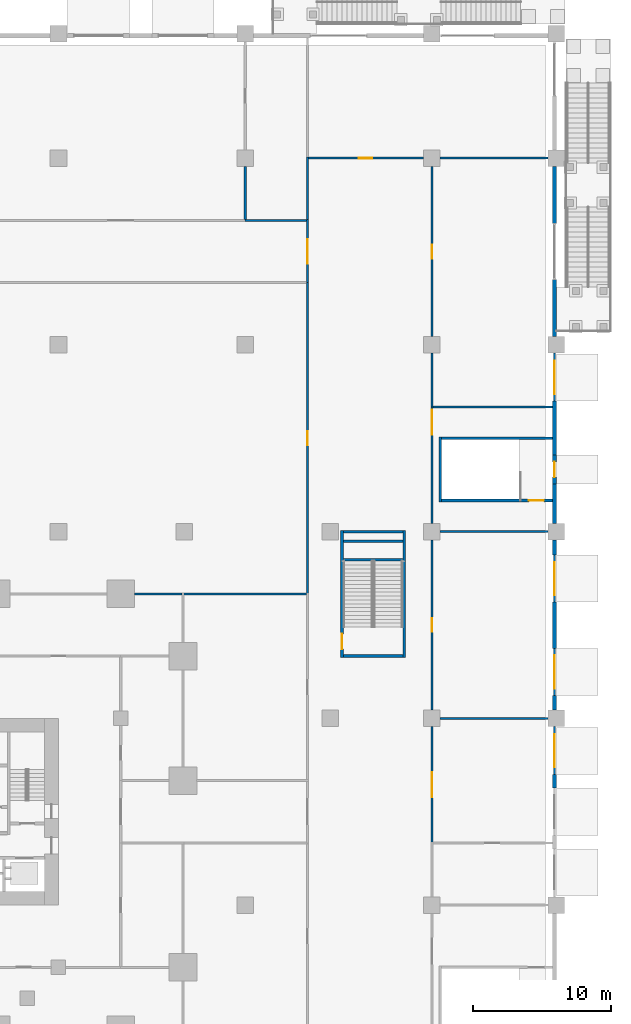
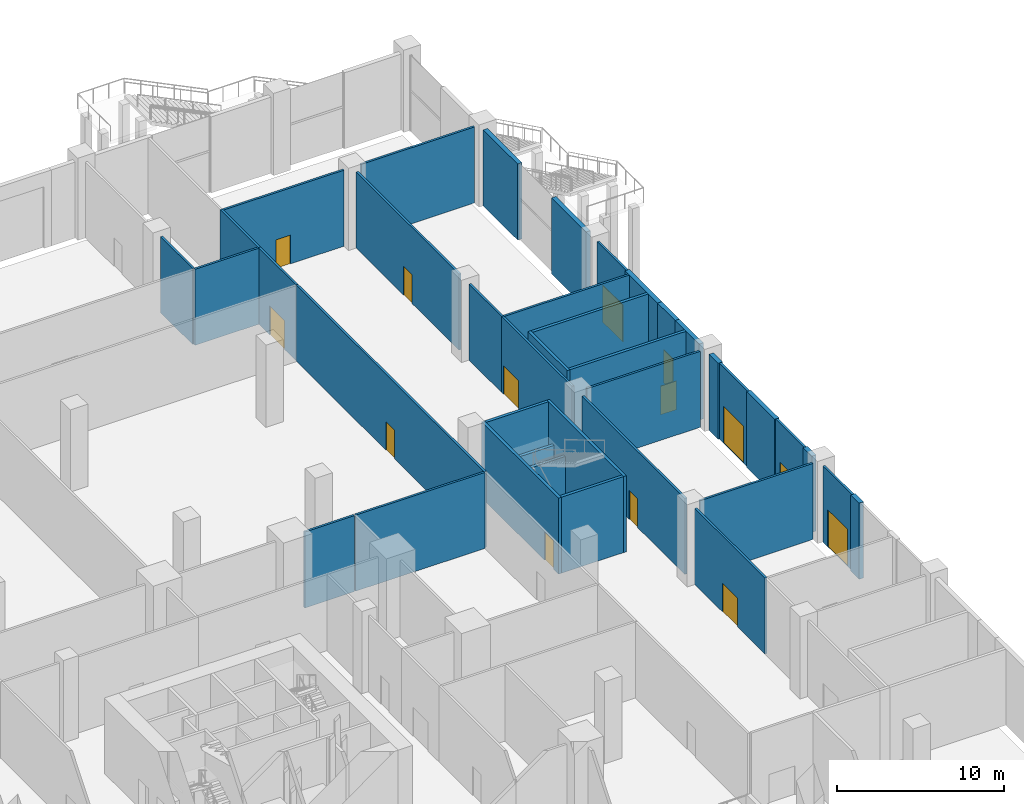
# One storey, part 35 of 68: 39 walls, 14 doors, 14 openings.
"""IFC4 building model written with IfcOpenShell, lengths in metres."""

import ifcopenshell
import ifcopenshell.guid

model = None  # the IFC model being written
_history = None  # IfcOwnerHistory: only IFC2X3 demands one
_inside = {}  # id of a spatial element -> (the spatial element, [elements in it])
_under = {}  # id of a project, library or spatial element -> (it, [spatial elements below it])
_declared = {}  # id of a project -> (the project, [libraries it declares])
_typed = {}  # id of a type object -> (the type object, [elements of that type])
_made_of = {}  # id of a material, layer set ... -> (it, [elements and type objects made of it])


def new_model(schema):
    """Start an empty IFC model of exactly this schema.

    Asked for "IFC4X3", IfcOpenShell would pick the latest addendum, in which some entities
    have other attributes; the version numbers below select the first issue.
    IFC2X3 requires an IfcOwnerHistory on every rooted entity: one is made here for all.
    """
    global model, _history
    if schema == "IFC4X3":
        model = ifcopenshell.file(schema_version=(4, 3, 0, 0))
    else:
        model = ifcopenshell.file(schema=schema)
    _inside.clear()
    _under.clear()
    _declared.clear()
    _typed.clear()
    _made_of.clear()
    _history = None
    if model.schema == "IFC2X3":
        org = make("IfcOrganization", Name="unknown")
        user = make(
            "IfcPersonAndOrganization",
            ThePerson=make("IfcPerson", FamilyName="unknown"),
            TheOrganization=org,
        )
        app = make(
            "IfcApplication",
            ApplicationDeveloper=org,
            Version="unknown",
            ApplicationFullName="unknown",
            ApplicationIdentifier="unknown",
        )
        _history = make(
            "IfcOwnerHistory",
            OwningUser=user,
            OwningApplication=app,
            ChangeAction="ADDED",
            CreationDate=0,
        )
    return model


def make(cls, **values):
    """One entity of the class cls with the attributes given. An attribute that is None is left unset."""
    return model.create_entity(
        cls, **{name: value for name, value in values.items() if value is not None}
    )


def rooted(cls, **values):
    """An entity with a GlobalId (a new one), such as an element, a storey or a relation."""
    return make(cls, GlobalId=ifcopenshell.guid.new(), OwnerHistory=_history, **values)


def si_unit(unit_type, name, prefix=None):
    """IfcSIUnit, for example si_unit("LENGTHUNIT", "METRE", prefix="MILLI")."""
    return make("IfcSIUnit", UnitType=unit_type, Prefix=prefix, Name=name)


def assignment(units):
    """IfcUnitAssignment: the units of a project."""
    return None if units is None else make("IfcUnitAssignment", Units=units)


def point(xyz):
    """IfcCartesianPoint."""
    return None if xyz is None else make("IfcCartesianPoint", Coordinates=xyz)


def direction(xyz):
    """IfcDirection."""
    return None if xyz is None else make("IfcDirection", DirectionRatios=xyz)


def frame(location, z_axis=None, x_axis=None):
    """IfcAxis2Placement3D, a coordinate frame: its origin and axes. An axis left out is left unset."""
    return make(
        "IfcAxis2Placement3D",
        Location=point(location),
        Axis=direction(z_axis),
        RefDirection=direction(x_axis),
    )


def frame_2d(location, x_axis=None):
    """IfcAxis2Placement2D, a coordinate frame in the plane: its origin and x axis."""
    return make(
        "IfcAxis2Placement2D", Location=point(location), RefDirection=direction(x_axis)
    )


def origin():
    """The frame at (0, 0, 0) with its axes left unset."""
    return frame((0.0, 0.0, 0.0))


def place(relative_to, where):
    """IfcLocalPlacement: puts the frame where relative to a parent placement (None: the world)."""
    return make(
        "IfcLocalPlacement", PlacementRelTo=relative_to, RelativePlacement=where
    )


def context(
    kind, dimensions, precision=None, world=None, true_north=None, identifier=None
):
    """IfcGeometricRepresentationContext, for example the 3D "Model" context."""
    return make(
        "IfcGeometricRepresentationContext",
        ContextIdentifier=identifier,
        ContextType=kind,
        CoordinateSpaceDimension=dimensions,
        Precision=precision,
        WorldCoordinateSystem=world,
        TrueNorth=true_north,
    )


def subcontext(parent, identifier, kind, view, scale=None):
    """IfcGeometricRepresentationSubContext, for example "Body" below "Model"."""
    return make(
        "IfcGeometricRepresentationSubContext",
        ContextIdentifier=identifier,
        ContextType=kind,
        ParentContext=parent,
        TargetScale=scale,
        TargetView=view,
    )


def project(units=None, contexts=None):
    """IfcProject with its units and contexts."""
    return rooted(
        "IfcProject",
        Name="project",
        RepresentationContexts=contexts,
        UnitsInContext=assignment(units),
    )


def spatial(cls, under=None, at=None, **own):
    """A site, building, storey or space (cls), placed at a placement, below another one or the project."""
    s = rooted(cls, ObjectPlacement=at, **own)
    if under is not None:
        _under.setdefault(under.id(), (under, []))[1].append(s)
    return s


def profile(cls, at=None, kind="AREA", **sizes):
    """A parametric profile (cls). Its sizes go by their IFC names, for example OverallWidth=200.0."""
    return make(cls, ProfileType=kind, Position=at, **sizes)


def rectangle(**sizes):
    """IfcRectangleProfileDef."""
    return profile("IfcRectangleProfileDef", **sizes)


def extrude(swept, where, along, depth):
    """IfcExtrudedAreaSolid: the profile swept, set in the frame where, extruded along a direction by depth."""
    return make(
        "IfcExtrudedAreaSolid",
        SweptArea=swept,
        Position=where,
        ExtrudedDirection=direction(along),
        Depth=depth,
    )


def shape(context_of_items, identifier, shape_type, items):
    """IfcShapeRepresentation: the items that make up one representation, for example the "Body"."""
    return make(
        "IfcShapeRepresentation",
        ContextOfItems=context_of_items,
        RepresentationIdentifier=identifier,
        RepresentationType=shape_type,
        Items=items,
    )


def material(Name=None, Category=None):
    """IfcMaterial."""
    return make("IfcMaterial", Name=Name, Category=Category)


def layer(
    of_material, thickness, ventilated=None, Name=None, Category=None, Priority=None
):
    """IfcMaterialLayer: one layer of a wall or slab, of a material (None: an air gap)."""
    return make(
        "IfcMaterialLayer",
        Material=of_material,
        LayerThickness=thickness,
        IsVentilated=ventilated,
        Name=Name,
        Category=Category,
        Priority=Priority,
    )


def layer_set(layers, Name=None):
    """IfcMaterialLayerSet."""
    return make("IfcMaterialLayerSet", MaterialLayers=layers, LayerSetName=Name)


def made_of(thing, what):
    """Note that an element or type object is made of a material, layer set ...; save() writes the relation."""
    if what is not None:
        _made_of.setdefault(what.id(), (what, []))[1].append(thing)
    return thing


def type_object(cls, material=None, **own):
    """A type object (cls), such as IfcWallType, which elements share."""
    return made_of(rooted(cls, **own), material)


def element(
    cls,
    number,
    at=None,
    inside=None,
    cuts=None,
    type_object=None,
    material=None,
    context=None,
    identifier="Body",
    shape_type=None,
    held_by="IfcProductDefinitionShape",
    body=None,
    shapes=None,
    **own,
):
    """One element of the class cls, such as IfcWall. Its Tag is "e" and its number.

    at: its placement. inside: the storey or other place that contains it. cuts: it is an
    opening in that element (IfcRelVoidsElement). A single representation is given by context,
    identifier, shape_type and body (its items); several are given by shapes. held_by: the class
    of the entity that holds the representations. save() writes the other relations.
    """
    e = rooted(cls, Tag="e%d" % number, ObjectPlacement=at, **own)
    if body is not None:
        shapes = [shape(context, identifier, shape_type, body)]
    if shapes is not None:
        e.Representation = make(held_by, Representations=shapes)
    if inside is not None:
        _inside.setdefault(inside.id(), (inside, []))[1].append(e)
    if cuts is not None:
        rooted(
            "IfcRelVoidsElement", RelatingBuildingElement=cuts, RelatedOpeningElement=e
        )
    if type_object is not None:
        _typed.setdefault(type_object.id(), (type_object, []))[1].append(e)
    return made_of(e, material)


def fill(opening, filler):
    """IfcRelFillsElement: the door or window that sits in an opening."""
    return rooted(
        "IfcRelFillsElement",
        RelatingOpeningElement=opening,
        RelatedBuildingElement=filler,
    )


def aggregate(whole, parts):
    """IfcRelAggregates: a whole, such as a stair, and the parts it consists of."""
    return rooted("IfcRelAggregates", RelatingObject=whole, RelatedObjects=parts)


def save(model, path):
    """Write the relations noted so far, then the file.

    IfcRelAggregates (storeys below a building ...), IfcRelContainedInSpatialStructure (elements
    in a storey), IfcRelDefinesByType, IfcRelAssociatesMaterial and IfcRelDeclares: one each for
    every whole, place, type object, material and project.
    """
    for whole, parts in _under.values():
        aggregate(whole, parts)
    for where, things in _inside.values():
        rooted(
            "IfcRelContainedInSpatialStructure",
            RelatedElements=things,
            RelatingStructure=where,
        )
    for kind, things in _typed.values():
        rooted("IfcRelDefinesByType", RelatedObjects=things, RelatingType=kind)
    for what, things in _made_of.values():
        rooted("IfcRelAssociatesMaterial", RelatedObjects=things, RelatingMaterial=what)
    for by, libraries in _declared.values():
        rooted("IfcRelDeclares", RelatingContext=by, RelatedDefinitions=libraries)
    model.write(path)


model = new_model("IFC4")

# Units and contexts
model_context = context("Model", 3, precision=1e-05, world=origin(), true_north=direction((0.0, 1.0)))
body_context = subcontext(model_context, "Body", "Model", "MODEL_VIEW")
ifc_project = project(units=[si_unit("LENGTHUNIT", "METRE"), si_unit("AREAUNIT", "SQUARE_METRE"), si_unit("VOLUMEUNIT", "CUBIC_METRE"), si_unit("PLANEANGLEUNIT", "RADIAN"), si_unit("MASSUNIT", "GRAM", prefix="KILO")], contexts=[model_context])

# Site, building, storey
site_placement = place(None, origin())
site = spatial("IfcSite", under=ifc_project, at=site_placement, CompositionType="ELEMENT")
building_placement = place(site_placement, origin())
building = spatial("IfcBuilding", under=site, at=building_placement, Name="Altepetl Exchange Towers", CompositionType="ELEMENT")
storey_placement = place(building_placement, origin())
storey = spatial("IfcBuildingStorey", under=building, at=storey_placement, Name="L00 Ground concourse", CompositionType="ELEMENT", Elevation=0.0)

# Wall, opening, door
ifc_material_1 = material(Name="Aluminium composite cladding", Category="aluminium")
ifc_layer_1 = layer(ifc_material_1, 0.14990234375)
ifc_layer_set_1 = layer_set([ifc_layer_1], Name="Aluminium composite cladding")
wall_type_1 = type_object("IfcWallType", Name="Infill wall 150 aluminium panel", PredefinedType="SOLIDWALL", material=ifc_layer_set_1)
wall_1_placement = place(storey_placement, frame((152.85009765625, 45.449951171875, 0.0), z_axis=(0.0, 0.0, 1.0), x_axis=(0.0, 1.0, 0.0)))
wall_1 = element("IfcWall", 1, at=wall_1_placement, inside=storey, type_object=wall_type_1, Name="Door bay wall", PredefinedType="SOLIDWALL", context=body_context, shape_type="SweptSolid", body=[
    extrude(rectangle(XDim=3.449951171875, YDim=0.14990234375, at=frame_2d((1.72509765625, 0.0))), origin(), (0.0, 0.0, 1.0), 5.550048828125),
])
opening_1_placement = place(wall_1_placement, frame((0.5, 0.0, 0.0)))
opening_1 = element("IfcOpeningElement", 2, at=opening_1_placement, cuts=wall_1, Name="Opening L00.E47", PredefinedType="OPENING", context=body_context, shape_type="SweptSolid", body=[
    extrude(rectangle(XDim=2.39990234375, YDim=2.699951171875, at=frame_2d((1.199951171875, 1.35009765625))), frame((0.0, 0.0849609375, 0.0), z_axis=(0.0, -1.0, 0.0), x_axis=(1.0, 0.0, 0.0)), (0.0, 0.0, 1.0), 0.169921875),
])
ifc_material_2 = material(Name="Aluminium 6063-T6 and glass", Category="aluminium")
door_type_1 = type_object("IfcDoorType", Name="Entrance door pair 2400x2700 pedestrian", OperationType="DOUBLE_DOOR_DOUBLE_SWING", PredefinedType="NOTDEFINED", material=ifc_material_2)
door_1_placement = place(opening_1_placement, frame((2.39990234375, 0.0, 0.0), x_axis=(-1.0, 0.0, 0.0)))
door_1 = element("IfcDoor", 3, at=door_1_placement, inside=storey, type_object=door_type_1, Name="Entrance door", OperationType="DOUBLE_DOOR_DOUBLE_SWING", OverallHeight=2.699951171875, OverallWidth=2.39990234375, PredefinedType="NOTDEFINED", context=body_context, shape_type="SweptSolid", body=[
    extrude(rectangle(XDim=2.39990234375, YDim=2.699951171875, at=frame_2d((1.199951171875, 1.35009765625))), frame((0.0, 0.02490234375, 0.0), z_axis=(0.0, -1.0, 0.0), x_axis=(1.0, 0.0, 0.0)), (0.0, 0.0, 1.0), 0.050048828125),
])
fill(opening_1, door_1)

wall_2_placement = place(storey_placement, frame((152.85009765625, 51.14990234375, 0.0), z_axis=(0.0, 0.0, 1.0), x_axis=(0.0, 1.0, 0.0)))
wall_2 = element("IfcWall", 4, at=wall_2_placement, inside=storey, type_object=wall_type_1, Name="Door bay wall", PredefinedType="SOLIDWALL", context=body_context, shape_type="SweptSolid", body=[
    extrude(rectangle(XDim=3.400146484375, YDim=0.14990234375, at=frame_2d((1.7001953125, 0.0))), origin(), (0.0, 0.0, 1.0), 5.550048828125),
])
opening_2_placement = place(wall_2_placement, frame((0.5, 0.0, 0.0)))
opening_2 = element("IfcOpeningElement", 5, at=opening_2_placement, cuts=wall_2, Name="Opening L00.E48", PredefinedType="OPENING", context=body_context, shape_type="SweptSolid", body=[
    extrude(rectangle(XDim=2.39990234375, YDim=2.699951171875, at=frame_2d((1.199951171875, 1.35009765625))), frame((0.0, 0.0849609375, 0.0), z_axis=(0.0, -1.0, 0.0), x_axis=(1.0, 0.0, 0.0)), (0.0, 0.0, 1.0), 0.169921875),
])
door_2_placement = place(opening_2_placement, frame((2.39990234375, 0.0, 0.0), x_axis=(-1.0, 0.0, 0.0)))
door_2 = element("IfcDoor", 6, at=door_2_placement, inside=storey, type_object=door_type_1, Name="Entrance door", OperationType="DOUBLE_DOOR_DOUBLE_SWING", OverallHeight=2.699951171875, OverallWidth=2.39990234375, PredefinedType="NOTDEFINED", context=body_context, shape_type="SweptSolid", body=[
    extrude(rectangle(XDim=2.39990234375, YDim=2.699951171875, at=frame_2d((1.199951171875, 1.35009765625))), frame((0.0, 0.02490234375, 0.0), z_axis=(0.0, -1.0, 0.0), x_axis=(1.0, 0.0, 0.0)), (0.0, 0.0, 1.0), 0.050048828125),
])
fill(opening_2, door_2)

wall_3_placement = place(storey_placement, frame((152.85009765625, 57.89990234375, 0.0), z_axis=(0.0, 0.0, 1.0), x_axis=(0.0, 1.0, 0.0)))
wall_3 = element("IfcWall", 7, at=wall_3_placement, inside=storey, type_object=wall_type_1, Name="Door bay wall", PredefinedType="SOLIDWALL", context=body_context, shape_type="SweptSolid", body=[
    extrude(rectangle(XDim=3.400146484375, YDim=0.14990234375, at=frame_2d((1.7001953125, 0.0))), origin(), (0.0, 0.0, 1.0), 5.550048828125),
])
opening_3_placement = place(wall_3_placement, frame((0.5, 0.0, 0.0)))
opening_3 = element("IfcOpeningElement", 8, at=opening_3_placement, cuts=wall_3, Name="Opening L00.E49", PredefinedType="OPENING", context=body_context, shape_type="SweptSolid", body=[
    extrude(rectangle(XDim=2.39990234375, YDim=2.699951171875, at=frame_2d((1.199951171875, 1.35009765625))), frame((0.0, 0.0849609375, 0.0), z_axis=(0.0, -1.0, 0.0), x_axis=(1.0, 0.0, 0.0)), (0.0, 0.0, 1.0), 0.169921875),
])
door_3_placement = place(opening_3_placement, frame((2.39990234375, 0.0, 0.0), x_axis=(-1.0, 0.0, 0.0)))
door_3 = element("IfcDoor", 9, at=door_3_placement, inside=storey, type_object=door_type_1, Name="Entrance door", OperationType="DOUBLE_DOOR_DOUBLE_SWING", OverallHeight=2.699951171875, OverallWidth=2.39990234375, PredefinedType="NOTDEFINED", context=body_context, shape_type="SweptSolid", body=[
    extrude(rectangle(XDim=2.39990234375, YDim=2.699951171875, at=frame_2d((1.199951171875, 1.35009765625))), frame((0.0, 0.02490234375, 0.0), z_axis=(0.0, -1.0, 0.0), x_axis=(1.0, 0.0, 0.0)), (0.0, 0.0, 1.0), 0.050048828125),
])
fill(opening_3, door_3)

wall_4_placement = place(storey_placement, frame((152.85009765625, 72.449951171875, 0.0), z_axis=(0.0, 0.0, 1.0), x_axis=(0.0, 1.0, 0.0)))
wall_4 = element("IfcWall", 10, at=wall_4_placement, inside=storey, type_object=wall_type_1, Name="Door bay wall", PredefinedType="SOLIDWALL", context=body_context, shape_type="SweptSolid", body=[
    extrude(rectangle(XDim=3.449951171875, YDim=0.14990234375, at=frame_2d((1.72509765625, 0.0))), origin(), (0.0, 0.0, 1.0), 5.550048828125),
])
opening_4_placement = place(wall_4_placement, frame((0.5, 0.0, 0.0)))
opening_4 = element("IfcOpeningElement", 11, at=opening_4_placement, cuts=wall_4, Name="Opening L00.E50", PredefinedType="OPENING", context=body_context, shape_type="SweptSolid", body=[
    extrude(rectangle(XDim=2.39990234375, YDim=2.699951171875, at=frame_2d((1.199951171875, 1.35009765625))), frame((0.0, 0.0849609375, 0.0), z_axis=(0.0, -1.0, 0.0), x_axis=(1.0, 0.0, 0.0)), (0.0, 0.0, 1.0), 0.169921875),
])
door_4_placement = place(opening_4_placement, frame((2.39990234375, 0.0, 0.0), x_axis=(-1.0, 0.0, 0.0)))
door_4 = element("IfcDoor", 12, at=door_4_placement, inside=storey, type_object=door_type_1, Name="Entrance door", OperationType="DOUBLE_DOOR_DOUBLE_SWING", OverallHeight=2.699951171875, OverallWidth=2.39990234375, PredefinedType="NOTDEFINED", context=body_context, shape_type="SweptSolid", body=[
    extrude(rectangle(XDim=2.39990234375, YDim=2.699951171875, at=frame_2d((1.199951171875, 1.35009765625))), frame((0.0, 0.02490234375, 0.0), z_axis=(0.0, -1.0, 0.0), x_axis=(1.0, 0.0, 0.0)), (0.0, 0.0, 1.0), 0.050048828125),
])
fill(opening_4, door_4)

# Walls
ifc_material_3 = material(Name="Reinforced concrete C35/45", Category="concrete")
ifc_layer_2 = layer(ifc_material_3, 0.199951171875)
ifc_layer_set_2 = layer_set([ifc_layer_2], Name="Reinforced concrete C35/45")
wall_type_2 = type_object("IfcWallType", Name="Landing support wall 200", PredefinedType="SOLIDWALL", material=ifc_layer_set_2)
for number, where, name in (
    (13, (137.60009765625, 60.9599609375, 0.0), "wall:P:L00:PZ2sup0"),
    (14, (137.60009765625, 62.300048828125, 0.0), "wall:P:L00:PZ2sup1"),
):
    element("IfcWall", number, at=place(storey_placement, frame(where)), inside=storey, type_object=wall_type_2, Name=name, PredefinedType="SOLIDWALL", context=body_context, shape_type="SweptSolid", body=[
        extrude(rectangle(XDim=4.2998046875, YDim=0.199951171875, at=frame_2d((2.14990234375, 0.0))), origin(), (0.0, 0.0, 1.0), 2.800048828125),
    ])
ifc_material_4 = material(Name="Gypsum board on steel studs", Category="steel")
ifc_layer_3 = layer(ifc_material_4, 0.14990234375)
ifc_layer_set_3 = layer_set([ifc_layer_3], Name="Gypsum board on steel studs")
wall_type_3 = type_object("IfcWallType", Name="Podium partition 150", PredefinedType="PARTITIONING", material=ifc_layer_set_3)
wall_5_placement = place(storey_placement, frame((122.4951171875, 58.5, 0.0)))
element("IfcWall", 15, at=wall_5_placement, inside=storey, type_object=wall_type_3, Name="wall:P:L00:P206", PredefinedType="PARTITIONING", context=body_context, shape_type="SweptSolid", body=[
    extrude(rectangle(XDim=3.429931640625, YDim=0.14990234375, at=frame_2d((1.71484375, 0.0))), origin(), (0.0, 0.0, 1.0), 5.550048828125),
])
wall_6_placement = place(storey_placement, frame((126.0, 58.5, 0.0)))
element("IfcWall", 16, at=wall_6_placement, inside=storey, type_object=wall_type_3, Name="wall:P:L00:P238", PredefinedType="PARTITIONING", context=body_context, shape_type="SweptSolid", body=[
    extrude(rectangle(XDim=8.925048828125, YDim=0.14990234375, at=frame_2d((4.46240234375, 0.0))), origin(), (0.0, 0.0, 1.0), 5.550048828125),
])

# Wall, opening, door
wall_7_placement = place(storey_placement, frame((144.0, 40.5, 0.0), z_axis=(0.0, 0.0, 1.0), x_axis=(0.0, 1.0, 0.0)))
wall_7 = element("IfcWall", 17, at=wall_7_placement, inside=storey, type_object=wall_type_3, Name="wall:P:L00:P241", PredefinedType="PARTITIONING", context=body_context, shape_type="SweptSolid", body=[
    extrude(rectangle(XDim=8.405029296875, YDim=0.14990234375, at=frame_2d((4.20263671875, 0.0))), origin(), (0.0, 0.0, 1.0), 5.550048828125),
])
opening_5_placement = place(wall_7_placement, frame((3.300048828125, 0.0, 0.0)))
opening_5 = element("IfcOpeningElement", 18, at=opening_5_placement, cuts=wall_7, Name="Opening L00.P093", PredefinedType="OPENING", context=body_context, shape_type="SweptSolid", body=[
    extrude(rectangle(XDim=1.800048828125, YDim=2.10009765625, at=frame_2d((0.89990234375, 1.050048828125))), frame((0.0, 0.0849609375, 0.0), z_axis=(0.0, -1.0, 0.0), x_axis=(1.0, 0.0, 0.0)), (0.0, 0.0, 1.0), 0.169921875),
])
ifc_material_5 = material(Name="Glazed aluminium and steel", Category="steel")
door_type_2 = type_object("IfcDoorType", Name="Podium fire door 1800 x 2100 double leaf", OperationType="DOUBLE_DOOR_SINGLE_SWING", PredefinedType="DOOR", material=ifc_material_5)
door_5_placement = place(opening_5_placement, frame((1.800048828125, 0.0, 0.0), x_axis=(-1.0, 0.0, 0.0)))
door_5 = element("IfcDoor", 19, at=door_5_placement, inside=storey, type_object=door_type_2, Name="door:P:L00:093", OperationType="DOUBLE_DOOR_SINGLE_SWING", OverallHeight=2.10009765625, OverallWidth=1.800048828125, PredefinedType="DOOR", context=body_context, shape_type="SweptSolid", body=[
    extrude(rectangle(XDim=1.800048828125, YDim=2.10009765625, at=frame_2d((0.89990234375, 1.050048828125))), frame((0.0, 0.02490234375, 0.0), z_axis=(0.0, -1.0, 0.0), x_axis=(1.0, 0.0, 0.0)), (0.0, 0.0, 1.0), 0.050048828125),
])
fill(opening_5, door_5)

wall_8_placement = place(storey_placement, frame((144.0, 50.094970703125, 0.0), z_axis=(0.0, 0.0, 1.0), x_axis=(0.0, 1.0, 0.0)))
wall_8 = element("IfcWall", 20, at=wall_8_placement, inside=storey, type_object=wall_type_3, Name="wall:P:L00:P242", PredefinedType="PARTITIONING", context=body_context, shape_type="SweptSolid", body=[
    extrude(rectangle(XDim=12.31005859375, YDim=0.14990234375, at=frame_2d((6.155029296875, 0.0))), origin(), (0.0, 0.0, 1.0), 5.550048828125),
])
opening_6_placement = place(wall_8_placement, frame((5.64990234375, 0.0, 0.0)))
opening_6 = element("IfcOpeningElement", 21, at=opening_6_placement, cuts=wall_8, Name="Opening L00.P046", PredefinedType="OPENING", context=body_context, shape_type="SweptSolid", body=[
    extrude(rectangle(XDim=1.0, YDim=2.10009765625, at=frame_2d((0.5, 1.050048828125))), frame((0.0, 0.0849609375, 0.0), z_axis=(0.0, -1.0, 0.0), x_axis=(1.0, 0.0, 0.0)), (0.0, 0.0, 1.0), 0.169921875),
])
ifc_material_6 = material(Name="Steel and timber fire door", Category="steel")
door_type_3 = type_object("IfcDoorType", Name="Podium fire door 1000 x 2100 single leaf", OperationType="SINGLE_SWING_LEFT", PredefinedType="DOOR", material=ifc_material_6)
door_6_placement = place(opening_6_placement, frame((1.0, 0.0, 0.0), x_axis=(-1.0, 0.0, 0.0)))
door_6 = element("IfcDoor", 22, at=door_6_placement, inside=storey, type_object=door_type_3, Name="door:P:L00:046", OperationType="SINGLE_SWING_LEFT", OverallHeight=2.10009765625, OverallWidth=1.0, PredefinedType="DOOR", context=body_context, shape_type="SweptSolid", body=[
    extrude(rectangle(XDim=1.0, YDim=2.10009765625, at=frame_2d((0.5, 1.050048828125))), frame((0.0, 0.02490234375, 0.0), z_axis=(0.0, -1.0, 0.0), x_axis=(1.0, 0.0, 0.0)), (0.0, 0.0, 1.0), 0.050048828125),
])
fill(opening_6, door_6)

wall_9_placement = place(storey_placement, frame((144.0, 63.594970703125, 0.0), z_axis=(0.0, 0.0, 1.0), x_axis=(0.0, 1.0, 0.0)))
wall_9 = element("IfcWall", 23, at=wall_9_placement, inside=storey, type_object=wall_type_3, Name="wall:P:L00:P243", PredefinedType="PARTITIONING", context=body_context, shape_type="SweptSolid", body=[
    extrude(rectangle(XDim=8.47998046875, YDim=0.14990234375, at=frame_2d((4.239990234375, 0.0))), origin(), (0.0, 0.0, 1.0), 5.550048828125),
])
opening_7_placement = place(wall_9_placement, frame((6.39990234375, 0.0, 0.0)))
opening_7 = element("IfcOpeningElement", 24, at=opening_7_placement, cuts=wall_9, Name="Opening L00.P094", PredefinedType="OPENING", context=body_context, shape_type="SweptSolid", body=[
    extrude(rectangle(XDim=1.800048828125, YDim=2.10009765625, at=frame_2d((0.89990234375, 1.050048828125))), frame((0.0, 0.0849609375, 0.0), z_axis=(0.0, -1.0, 0.0), x_axis=(1.0, 0.0, 0.0)), (0.0, 0.0, 1.0), 0.169921875),
])
door_7_placement = place(opening_7_placement, frame((1.800048828125, 0.0, 0.0), x_axis=(-1.0, 0.0, 0.0)))
door_7 = element("IfcDoor", 25, at=door_7_placement, inside=storey, type_object=door_type_2, Name="door:P:L00:094", OperationType="DOUBLE_DOOR_SINGLE_SWING", OverallHeight=2.10009765625, OverallWidth=1.800048828125, PredefinedType="DOOR", context=body_context, shape_type="SweptSolid", body=[
    extrude(rectangle(XDim=1.800048828125, YDim=2.10009765625, at=frame_2d((0.89990234375, 1.050048828125))), frame((0.0, 0.02490234375, 0.0), z_axis=(0.0, -1.0, 0.0), x_axis=(1.0, 0.0, 0.0)), (0.0, 0.0, 1.0), 0.050048828125),
])
fill(opening_7, door_7)

# Wall
wall_10_placement = place(storey_placement, frame((144.0, 72.0, 0.0), z_axis=(0.0, 0.0, 1.0), x_axis=(0.0, 1.0, 0.0)))
element("IfcWall", 26, at=wall_10_placement, inside=storey, type_object=wall_type_3, Name="wall:P:L00:P244", PredefinedType="PARTITIONING", context=body_context, shape_type="SweptSolid", body=[
    extrude(rectangle(XDim=3.905029296875, YDim=0.14990234375, at=frame_2d((1.95263671875, 0.0))), origin(), (0.0, 0.0, 1.0), 5.550048828125),
])

# Wall, opening, door
wall_11_placement = place(storey_placement, frame((144.0, 77.094970703125, 0.0), z_axis=(0.0, 0.0, 1.0), x_axis=(0.0, 1.0, 0.0)))
wall_11 = element("IfcWall", 27, at=wall_11_placement, inside=storey, type_object=wall_type_3, Name="wall:P:L00:P245", PredefinedType="PARTITIONING", context=body_context, shape_type="SweptSolid", body=[
    extrude(rectangle(XDim=12.31005859375, YDim=0.14990234375, at=frame_2d((6.155029296875, 0.0))), origin(), (0.0, 0.0, 1.0), 5.550048828125),
])
opening_8_placement = place(wall_11_placement, frame((5.64990234375, 0.0, 0.0)))
opening_8 = element("IfcOpeningElement", 28, at=opening_8_placement, cuts=wall_11, Name="Opening L00.P047", PredefinedType="OPENING", context=body_context, shape_type="SweptSolid", body=[
    extrude(rectangle(XDim=1.0, YDim=2.10009765625, at=frame_2d((0.5, 1.050048828125))), frame((0.0, 0.0849609375, 0.0), z_axis=(0.0, -1.0, 0.0), x_axis=(1.0, 0.0, 0.0)), (0.0, 0.0, 1.0), 0.169921875),
])
door_8_placement = place(opening_8_placement, frame((1.0, 0.0, 0.0), x_axis=(-1.0, 0.0, 0.0)))
door_8 = element("IfcDoor", 29, at=door_8_placement, inside=storey, type_object=door_type_3, Name="door:P:L00:047", OperationType="SINGLE_SWING_LEFT", OverallHeight=2.10009765625, OverallWidth=1.0, PredefinedType="DOOR", context=body_context, shape_type="SweptSolid", body=[
    extrude(rectangle(XDim=1.0, YDim=2.10009765625, at=frame_2d((0.5, 1.050048828125))), frame((0.0, 0.02490234375, 0.0), z_axis=(0.0, -1.0, 0.0), x_axis=(1.0, 0.0, 0.0)), (0.0, 0.0, 1.0), 0.050048828125),
])
fill(opening_8, door_8)

wall_12_placement = place(storey_placement, frame((135.0, 58.5, 0.0), z_axis=(0.0, 0.0, 1.0), x_axis=(0.0, 1.0, 0.0)))
wall_12 = element("IfcWall", 30, at=wall_12_placement, inside=storey, type_object=wall_type_3, Name="wall:P:L00:P246", PredefinedType="PARTITIONING", context=body_context, shape_type="SweptSolid", body=[
    extrude(rectangle(XDim=22.574951171875, YDim=0.14990234375, at=frame_2d((11.28759765625, 0.0))), origin(), (0.0, 0.0, 1.0), 5.550048828125),
])
opening_9_placement = place(wall_12_placement, frame((10.75, 0.0, 0.0)))
opening_9 = element("IfcOpeningElement", 31, at=opening_9_placement, cuts=wall_12, Name="Opening L00.P049", PredefinedType="OPENING", context=body_context, shape_type="SweptSolid", body=[
    extrude(rectangle(XDim=1.0, YDim=2.10009765625, at=frame_2d((0.5, 1.050048828125))), frame((0.0, 0.0849609375, 0.0), z_axis=(0.0, -1.0, 0.0), x_axis=(1.0, 0.0, 0.0)), (0.0, 0.0, 1.0), 0.169921875),
])
door_9_placement = place(opening_9_placement, origin())
door_9 = element("IfcDoor", 32, at=door_9_placement, inside=storey, type_object=door_type_3, Name="door:P:L00:049", OperationType="SINGLE_SWING_RIGHT", OverallHeight=2.10009765625, OverallWidth=1.0, PredefinedType="DOOR", context=body_context, shape_type="SweptSolid", body=[
    extrude(rectangle(XDim=1.0, YDim=2.10009765625, at=frame_2d((0.5, 1.050048828125))), frame((0.0, 0.02490234375, 0.0), z_axis=(0.0, -1.0, 0.0), x_axis=(1.0, 0.0, 0.0)), (0.0, 0.0, 1.0), 0.050048828125),
])
fill(opening_9, door_9)

wall_13_placement = place(storey_placement, frame((135.0, 81.0, 0.0), z_axis=(0.0, 0.0, 1.0), x_axis=(0.0, 1.0, 0.0)))
wall_13 = element("IfcWall", 33, at=wall_13_placement, inside=storey, type_object=wall_type_3, Name="wall:P:L00:P247", PredefinedType="PARTITIONING", context=body_context, shape_type="SweptSolid", body=[
    extrude(rectangle(XDim=4.574951171875, YDim=0.14990234375, at=frame_2d((2.28759765625, 0.0))), origin(), (0.0, 0.0, 1.0), 5.550048828125),
])
opening_10_placement = place(wall_13_placement, frame((1.35009765625, 0.0, 0.0)))
opening_10 = element("IfcOpeningElement", 34, at=opening_10_placement, cuts=wall_13, Name="Opening L00.P095", PredefinedType="OPENING", context=body_context, shape_type="SweptSolid", body=[
    extrude(rectangle(XDim=1.800048828125, YDim=2.10009765625, at=frame_2d((0.89990234375, 1.050048828125))), frame((0.0, 0.0849609375, 0.0), z_axis=(0.0, -1.0, 0.0), x_axis=(1.0, 0.0, 0.0)), (0.0, 0.0, 1.0), 0.169921875),
])
door_10_placement = place(opening_10_placement, origin())
door_10 = element("IfcDoor", 35, at=door_10_placement, inside=storey, type_object=door_type_2, Name="door:P:L00:095", OperationType="DOUBLE_DOOR_SINGLE_SWING", OverallHeight=2.10009765625, OverallWidth=1.800048828125, PredefinedType="DOOR", context=body_context, shape_type="SweptSolid", body=[
    extrude(rectangle(XDim=1.800048828125, YDim=2.10009765625, at=frame_2d((0.89990234375, 1.050048828125))), frame((0.0, 0.02490234375, 0.0), z_axis=(0.0, -1.0, 0.0), x_axis=(1.0, 0.0, 0.0)), (0.0, 0.0, 1.0), 0.050048828125),
])
fill(opening_10, door_10)

# Wall
wall_14_placement = place(storey_placement, frame((135.0, 85.5, 0.0), z_axis=(0.0, 0.0, 1.0), x_axis=(0.0, 1.0, 0.0)))
element("IfcWall", 36, at=wall_14_placement, inside=storey, type_object=wall_type_3, Name="wall:P:L00:P248", PredefinedType="PARTITIONING", context=body_context, shape_type="SweptSolid", body=[
    extrude(rectangle(XDim=4.574951171875, YDim=0.14990234375, at=frame_2d((2.28759765625, 0.0))), origin(), (0.0, 0.0, 1.0), 5.550048828125),
])

# Wall, opening, door
wall_15_placement = place(storey_placement, frame((135.074951171875, 90.0, 0.0)))
wall_15 = element("IfcWall", 37, at=wall_15_placement, inside=storey, type_object=wall_type_3, Name="wall:P:L00:P249", PredefinedType="PARTITIONING", context=body_context, shape_type="SweptSolid", body=[
    extrude(rectangle(XDim=8.330078125, YDim=0.14990234375, at=frame_2d((4.1650390625, 0.0))), origin(), (0.0, 0.0, 1.0), 5.550048828125),
])
opening_11_placement = place(wall_15_placement, frame((3.625, 0.0, 0.0)))
opening_11 = element("IfcOpeningElement", 38, at=opening_11_placement, cuts=wall_15, Name="Opening L00.P052", PredefinedType="OPENING", context=body_context, shape_type="SweptSolid", body=[
    extrude(rectangle(XDim=1.0, YDim=2.10009765625, at=frame_2d((0.5, 1.050048828125))), frame((0.0, 0.0849609375, 0.0), z_axis=(0.0, -1.0, 0.0), x_axis=(1.0, 0.0, 0.0)), (0.0, 0.0, 1.0), 0.169921875),
])
door_11_placement = place(opening_11_placement, origin())
door_11 = element("IfcDoor", 39, at=door_11_placement, inside=storey, type_object=door_type_3, Name="door:P:L00:052", OperationType="SINGLE_SWING_RIGHT", OverallHeight=2.10009765625, OverallWidth=1.0, PredefinedType="DOOR", context=body_context, shape_type="SweptSolid", body=[
    extrude(rectangle(XDim=1.0, YDim=2.10009765625, at=frame_2d((0.5, 1.050048828125))), frame((0.0, 0.02490234375, 0.0), z_axis=(0.0, -1.0, 0.0), x_axis=(1.0, 0.0, 0.0)), (0.0, 0.0, 1.0), 0.050048828125),
])
fill(opening_11, door_11)

# Walls
for number, where, name in (
    (40, (144.594970703125, 49.5, 0.0), "wall:P:L00:P258"),
    (41, (144.594970703125, 63.0, 0.0), "wall:P:L00:P259"),
):
    element("IfcWall", number, at=place(storey_placement, frame(where)), inside=storey, type_object=wall_type_3, Name=name, PredefinedType="PARTITIONING", context=body_context, shape_type="SweptSolid", body=[
        extrude(rectangle(XDim=7.81005859375, YDim=0.14990234375, at=frame_2d((3.905029296875, 0.0))), origin(), (0.0, 0.0, 1.0), 5.550048828125),
    ])
wall_16_placement = place(storey_placement, frame((144.074951171875, 72.0, 0.0)))
element("IfcWall", 42, at=wall_16_placement, inside=storey, type_object=wall_type_3, Name="wall:P:L00:P260", PredefinedType="PARTITIONING", context=body_context, shape_type="SweptSolid", body=[
    extrude(rectangle(XDim=8.625, YDim=0.14990234375, at=frame_2d((4.3125, 0.0))), origin(), (0.0, 0.0, 1.0), 5.550048828125),
])
wall_17_placement = place(storey_placement, frame((144.594970703125, 90.0, 0.0)))
element("IfcWall", 43, at=wall_17_placement, inside=storey, type_object=wall_type_3, Name="wall:P:L00:P264", PredefinedType="PARTITIONING", context=body_context, shape_type="SweptSolid", body=[
    extrude(rectangle(XDim=7.81005859375, YDim=0.14990234375, at=frame_2d((3.905029296875, 0.0))), origin(), (0.0, 0.0, 1.0), 5.550048828125),
])
wall_18_placement = place(storey_placement, frame((130.5, 85.5, 0.0)))
element("IfcWall", 44, at=wall_18_placement, inside=storey, type_object=wall_type_3, Name="wall:P:L00:P273", PredefinedType="PARTITIONING", context=body_context, shape_type="SweptSolid", body=[
    extrude(rectangle(XDim=4.425048828125, YDim=0.14990234375, at=frame_2d((2.21240234375, 0.0))), origin(), (0.0, 0.0, 1.0), 5.550048828125),
])
wall_19_placement = place(storey_placement, frame((130.5, 85.574951171875, 0.0), z_axis=(0.0, 0.0, 1.0), x_axis=(0.0, 1.0, 0.0)))
element("IfcWall", 45, at=wall_19_placement, inside=storey, type_object=wall_type_3, Name="wall:P:L00:P279", PredefinedType="PARTITIONING", context=body_context, shape_type="SweptSolid", body=[
    extrude(rectangle(XDim=3.830078125, YDim=0.14990234375, at=frame_2d((1.9150390625, 0.0))), origin(), (0.0, 0.0, 1.0), 5.550048828125),
])

# Wall, opening, door
ifc_layer_4 = layer(ifc_material_3, 0.199951171875)
ifc_layer_set_4 = layer_set([ifc_layer_4], Name="Reinforced concrete C35/45")
wall_type_4 = type_object("IfcWallType", Name="Stair enclosure wall 200", PredefinedType="SOLIDWALL", material=ifc_layer_set_4)
wall_20_placement = place(storey_placement, frame((137.5, 53.89990234375, 0.0), z_axis=(0.0, 0.0, 1.0), x_axis=(0.0, 1.0, 0.0)))
wall_20 = element("IfcWall", 46, at=wall_20_placement, inside=storey, type_object=wall_type_4, Name="wall:P:L00:P250", PredefinedType="SOLIDWALL", context=body_context, shape_type="SweptSolid", body=[
    extrude(rectangle(XDim=9.2001953125, YDim=0.199951171875, at=frame_2d((4.60009765625, 0.0))), origin(), (0.0, 0.0, 1.0), 5.550048828125),
])
opening_12_placement = place(wall_20_placement, frame((0.60009765625, 0.0, 0.0)))
opening_12 = element("IfcOpeningElement", 47, at=opening_12_placement, cuts=wall_20, Name="Opening L00.P064", PredefinedType="OPENING", context=body_context, shape_type="SweptSolid", body=[
    extrude(rectangle(XDim=1.10009765625, YDim=2.10009765625, at=frame_2d((0.550048828125, 1.050048828125))), frame((0.0, 0.10986328125, 0.0), z_axis=(0.0, -1.0, 0.0), x_axis=(1.0, 0.0, 0.0)), (0.0, 0.0, 1.0), 0.219970703125),
])
ifc_material_7 = material(Name="Steel fire door", Category="steel")
door_type_4 = type_object("IfcDoorType", Name="Podium fire door 1100 x 2100 single leaf", OperationType="SINGLE_SWING_LEFT", PredefinedType="DOOR", material=ifc_material_7)
door_12_placement = place(opening_12_placement, origin())
door_12 = element("IfcDoor", 48, at=door_12_placement, inside=storey, type_object=door_type_4, Name="door:P:L00:064", OperationType="SINGLE_SWING_RIGHT", OverallHeight=2.10009765625, OverallWidth=1.10009765625, PredefinedType="DOOR", context=body_context, shape_type="SweptSolid", body=[
    extrude(rectangle(XDim=1.10009765625, YDim=2.10009765625, at=frame_2d((0.550048828125, 1.050048828125))), frame((0.0, 0.02490234375, 0.0), z_axis=(0.0, -1.0, 0.0), x_axis=(1.0, 0.0, 0.0)), (0.0, 0.0, 1.0), 0.050048828125),
])
fill(opening_12, door_12)

# Walls
wall_21_placement = place(storey_placement, frame((142.0, 53.89990234375, 0.0), z_axis=(0.0, 0.0, 1.0), x_axis=(0.0, 1.0, 0.0)))
element("IfcWall", 49, at=wall_21_placement, inside=storey, type_object=wall_type_4, Name="wall:P:L00:P251", PredefinedType="SOLIDWALL", context=body_context, shape_type="SweptSolid", body=[
    extrude(rectangle(XDim=9.2001953125, YDim=0.199951171875, at=frame_2d((4.60009765625, 0.0))), origin(), (0.0, 0.0, 1.0), 5.550048828125),
])
for number, where, name in (
    (50, (137.60009765625, 54.0, 0.0), "wall:P:L00:P252"),
    (51, (137.60009765625, 63.0, 0.0), "wall:P:L00:P253"),
):
    element("IfcWall", number, at=place(storey_placement, frame(where)), inside=storey, type_object=wall_type_4, Name=name, PredefinedType="SOLIDWALL", context=body_context, shape_type="SweptSolid", body=[
        extrude(rectangle(XDim=4.2998046875, YDim=0.199951171875, at=frame_2d((2.14990234375, 0.0))), origin(), (0.0, 0.0, 1.0), 5.550048828125),
    ])
wall_22_placement = place(storey_placement, frame((144.60009765625, 65.14990234375, 0.0), z_axis=(0.0, 0.0, 1.0), x_axis=(0.0, 1.0, 0.0)))
element("IfcWall", 52, at=wall_22_placement, inside=storey, type_object=wall_type_4, Name="wall:P:L00:P261", PredefinedType="SOLIDWALL", context=body_context, shape_type="SweptSolid", body=[
    extrude(rectangle(XDim=4.7001953125, YDim=0.199951171875, at=frame_2d((2.35009765625, 0.0))), origin(), (0.0, 0.0, 1.0), 5.550048828125),
])

# Wall, opening, door
wall_23_placement = place(storey_placement, frame((144.699951171875, 65.25, 0.0)))
wall_23 = element("IfcWall", 53, at=wall_23_placement, inside=storey, type_object=wall_type_4, Name="wall:P:L00:P262", PredefinedType="SOLIDWALL", context=body_context, shape_type="SweptSolid", body=[
    extrude(rectangle(XDim=8.0, YDim=0.199951171875, at=frame_2d((4.0, 0.0))), origin(), (0.0, 0.0, 1.0), 5.550048828125),
])
opening_13_placement = place(wall_23_placement, frame((6.300048828125, 0.0, 0.0)))
opening_13 = element("IfcOpeningElement", 54, at=opening_13_placement, cuts=wall_23, Name="Opening L00.P060", PredefinedType="OPENING", context=body_context, shape_type="SweptSolid", body=[
    extrude(rectangle(XDim=1.10009765625, YDim=2.10009765625, at=frame_2d((0.550048828125, 1.050048828125))), frame((0.0, 0.10986328125, 0.0), z_axis=(0.0, -1.0, 0.0), x_axis=(1.0, 0.0, 0.0)), (0.0, 0.0, 1.0), 0.219970703125),
])
door_13_placement = place(opening_13_placement, frame((1.10009765625, 0.0, 0.0), x_axis=(-1.0, 0.0, 0.0)))
door_13 = element("IfcDoor", 55, at=door_13_placement, inside=storey, type_object=door_type_4, Name="door:P:L00:060", OperationType="SINGLE_SWING_RIGHT", OverallHeight=2.10009765625, OverallWidth=1.10009765625, PredefinedType="DOOR", context=body_context, shape_type="SweptSolid", body=[
    extrude(rectangle(XDim=1.10009765625, YDim=2.10009765625, at=frame_2d((0.550048828125, 1.050048828125))), frame((0.0, 0.02490234375, 0.0), z_axis=(0.0, -1.0, 0.0), x_axis=(1.0, 0.0, 0.0)), (0.0, 0.0, 1.0), 0.050048828125),
])
fill(opening_13, door_13)

# Walls
wall_24_placement = place(storey_placement, frame((144.699951171875, 69.75, 0.0)))
element("IfcWall", 56, at=wall_24_placement, inside=storey, type_object=wall_type_4, Name="wall:P:L00:P263", PredefinedType="SOLIDWALL", context=body_context, shape_type="SweptSolid", body=[
    extrude(rectangle(XDim=8.0, YDim=0.199951171875, at=frame_2d((4.0, 0.0))), origin(), (0.0, 0.0, 1.0), 5.550048828125),
])
ifc_material_8 = material(Name="Cantera limestone cladding", Category="masonry")
ifc_layer_5 = layer(ifc_material_8, 0.300048828125)
ifc_layer_set_5 = layer_set([ifc_layer_5], Name="Cantera limestone cladding")
wall_type_5 = type_object("IfcWallType", Name="Stone wall panel 300", PredefinedType="ELEMENTEDWALL", material=ifc_layer_set_5)
wall_25_placement = place(storey_placement, frame((152.85009765625, 44.449951171875, 0.0), z_axis=(0.0, 0.0, 1.0), x_axis=(0.0, 1.0, 0.0)))
element("IfcWall", 57, at=wall_25_placement, inside=storey, type_object=wall_type_5, Name="Stone wall panel", PredefinedType="ELEMENTEDWALL", context=body_context, shape_type="SweptSolid", body=[
    extrude(rectangle(XDim=1.0, YDim=0.300048828125, at=frame_2d((0.5, 0.0))), origin(), (0.0, 0.0, 1.0), 5.550048828125),
])
wall_26_placement = place(storey_placement, frame((152.85009765625, 50.10009765625, 0.0), z_axis=(0.0, 0.0, 1.0), x_axis=(0.0, 1.0, 0.0)))
element("IfcWall", 58, at=wall_26_placement, inside=storey, type_object=wall_type_5, Name="Stone wall panel", PredefinedType="ELEMENTEDWALL", context=body_context, shape_type="SweptSolid", body=[
    extrude(rectangle(XDim=1.0498046875, YDim=0.300048828125, at=frame_2d((0.52490234375, 0.0))), origin(), (0.0, 0.0, 1.0), 5.550048828125),
])
wall_27_placement = place(storey_placement, frame((152.85009765625, 54.550048828125, 0.0), z_axis=(0.0, 0.0, 1.0), x_axis=(0.0, 1.0, 0.0)))
element("IfcWall", 59, at=wall_27_placement, inside=storey, type_object=wall_type_5, Name="Stone wall panel", PredefinedType="ELEMENTEDWALL", context=body_context, shape_type="SweptSolid", body=[
    extrude(rectangle(XDim=3.349853515625, YDim=0.300048828125, at=frame_2d((1.6748046875, 0.0))), origin(), (0.0, 0.0, 1.0), 5.550048828125),
])
wall_28_placement = place(storey_placement, frame((152.85009765625, 61.300048828125, 0.0), z_axis=(0.0, 0.0, 1.0), x_axis=(0.0, 1.0, 0.0)))
element("IfcWall", 60, at=wall_28_placement, inside=storey, type_object=wall_type_5, Name="Stone wall panel", PredefinedType="ELEMENTEDWALL", context=body_context, shape_type="SweptSolid", body=[
    extrude(rectangle(XDim=1.099853515625, YDim=0.300048828125, at=frame_2d((0.5498046875, 0.0))), origin(), (0.0, 0.0, 1.0), 5.550048828125),
])
wall_29_placement = place(storey_placement, frame((152.85009765625, 63.60009765625, 0.0), z_axis=(0.0, 0.0, 1.0), x_axis=(0.0, 1.0, 0.0)))
element("IfcWall", 61, at=wall_29_placement, inside=storey, type_object=wall_type_5, Name="Stone wall panel", PredefinedType="ELEMENTEDWALL", context=body_context, shape_type="SweptSolid", body=[
    extrude(rectangle(XDim=2.849853515625, YDim=0.300048828125, at=frame_2d((1.4248046875, 0.0))), origin(), (0.0, 0.0, 1.0), 5.550048828125),
])

# Wall, opening, door
wall_30_placement = place(storey_placement, frame((152.85009765625, 66.449951171875, 0.0), z_axis=(0.0, 0.0, 1.0), x_axis=(0.0, 1.0, 0.0)))
wall_30 = element("IfcWall", 62, at=wall_30_placement, inside=storey, type_object=wall_type_5, Name="Stone wall panel", PredefinedType="ELEMENTEDWALL", context=body_context, shape_type="SweptSolid", body=[
    extrude(rectangle(XDim=2.10009765625, YDim=0.300048828125, at=frame_2d((1.050048828125, 0.0))), origin(), (0.0, 0.0, 1.0), 5.550048828125),
])
opening_14_placement = place(wall_30_placement, frame((0.5, 0.0, 0.0)))
opening_14 = element("IfcOpeningElement", 63, at=opening_14_placement, cuts=wall_30, Name="Opening L00.E68", PredefinedType="OPENING", context=body_context, shape_type="SweptSolid", body=[
    extrude(rectangle(XDim=1.10009765625, YDim=2.39990234375, at=frame_2d((0.550048828125, 1.199951171875))), frame((0.0, 0.16015625, 0.0), z_axis=(0.0, -1.0, 0.0), x_axis=(1.0, 0.0, 0.0)), (0.0, 0.0, 1.0), 0.320068359375),
])
ifc_material_9 = material(Name="Steel S275", Category="steel")
door_type_5 = type_object("IfcDoorType", Name="Exit door 1100x2400 pedestrian", OperationType="SINGLE_SWING_LEFT", PredefinedType="NOTDEFINED", material=ifc_material_9)
door_14_placement = place(opening_14_placement, frame((1.10009765625, 0.0, 0.0), x_axis=(-1.0, 0.0, 0.0)))
door_14 = element("IfcDoor", 64, at=door_14_placement, inside=storey, type_object=door_type_5, Name="Exit door", OperationType="SINGLE_SWING_RIGHT", OverallHeight=2.39990234375, OverallWidth=1.10009765625, PredefinedType="NOTDEFINED", context=body_context, shape_type="SweptSolid", body=[
    extrude(rectangle(XDim=1.10009765625, YDim=2.39990234375, at=frame_2d((0.550048828125, 1.199951171875))), frame((0.0, 0.02490234375, 0.0), z_axis=(0.0, -1.0, 0.0), x_axis=(1.0, 0.0, 0.0)), (0.0, 0.0, 1.0), 0.050048828125),
])
fill(opening_14, door_14)

# Walls
wall_31_placement = place(storey_placement, frame((152.85009765625, 68.550048828125, 0.0), z_axis=(0.0, 0.0, 1.0), x_axis=(0.0, 1.0, 0.0)))
element("IfcWall", 65, at=wall_31_placement, inside=storey, type_object=wall_type_5, Name="Stone wall panel", PredefinedType="ELEMENTEDWALL", context=body_context, shape_type="SweptSolid", body=[
    extrude(rectangle(XDim=3.89990234375, YDim=0.300048828125, at=frame_2d((1.949951171875, 0.0))), origin(), (0.0, 0.0, 1.0), 5.550048828125),
])
for number, where, z_axis, x_axis, name in (
    (66, (152.85009765625, 77.10009765625, 0.0), (0.0, 0.0, 1.0), (0.0, 1.0, 0.0), "Stone wall panel"),
    (67, (152.85009765625, 85.283447265625, 0.0), (0.0, 0.0, 1.0), (0.0, 1.0, 0.0), "Stone wall panel"),
):
    element("IfcWall", number, at=place(storey_placement, frame(where, z_axis=z_axis, x_axis=x_axis)), inside=storey, type_object=wall_type_5, Name=name, PredefinedType="ELEMENTEDWALL", context=body_context, shape_type="SweptSolid", body=[
        extrude(rectangle(XDim=4.116455078125, YDim=0.300048828125, at=frame_2d((2.05810546875, 0.0))), origin(), (0.0, 0.0, 1.0), 5.550048828125),
    ])

save(model, "model.ifc")
